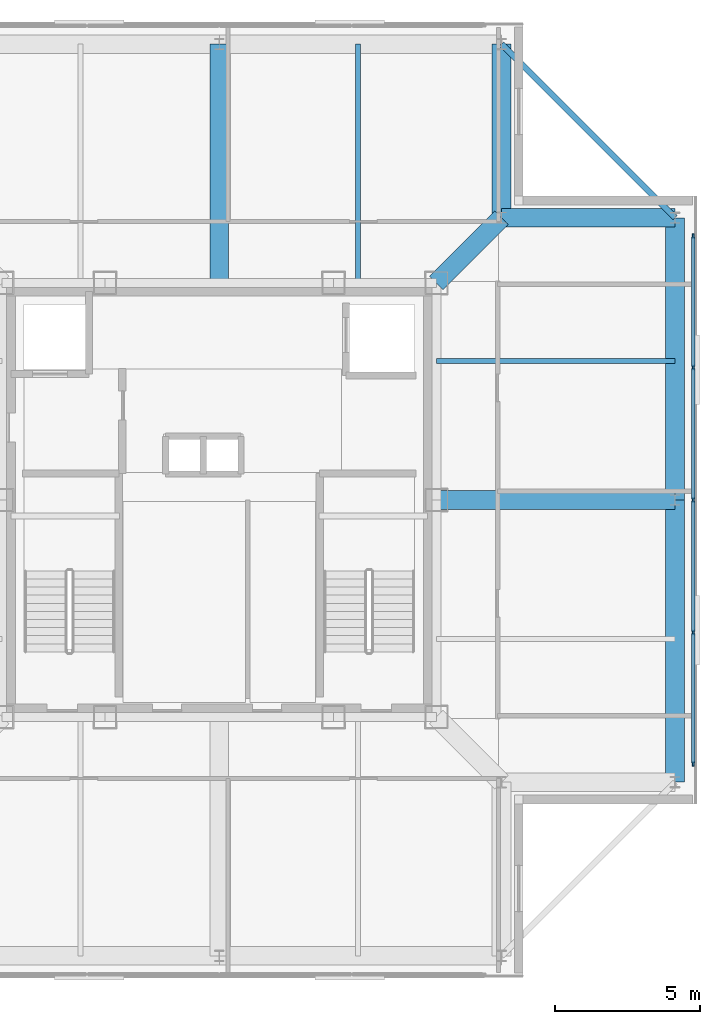
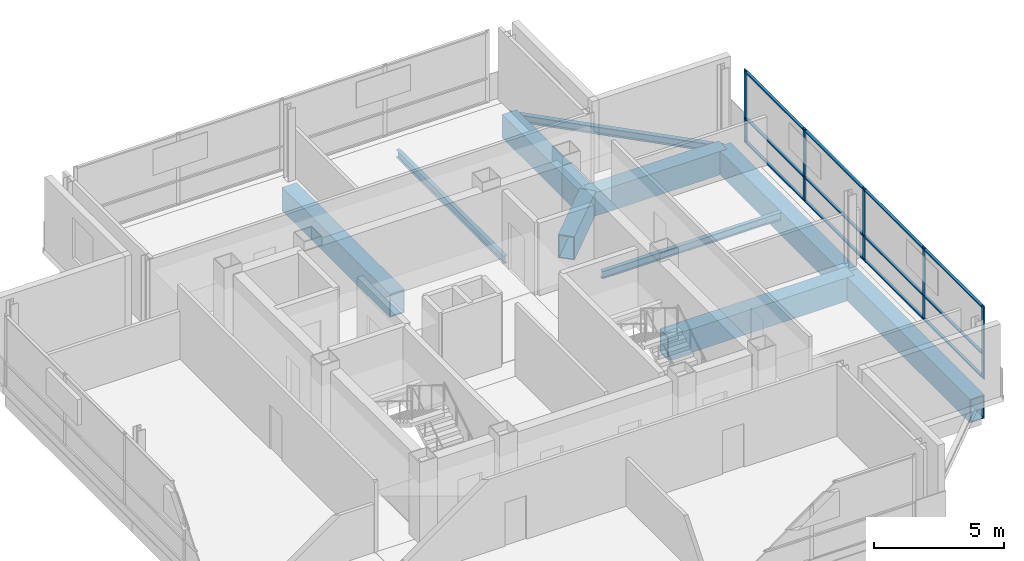
# One storey, part 5 of 11: 17 members, 10 beams, 1 element without a shape of its own.
"""IFC4 building model written with IfcOpenShell, lengths in metres."""

from ifc_helpers import new_model, si_unit, direction, frame, origin, origin_2d, place, context, subcontext, project, spatial, rectangle, hollow_rectangle, i_section, extrude, material, layer, layer_set, material_profile, profile_set, type_object, element, aggregate, save


model = new_model("IFC4")

# Units and contexts
model_context = context("Model", 3, precision=1e-05, world=origin(), true_north=direction((0.0, 1.0)))
body_context = subcontext(model_context, "Body", "Model", "MODEL_VIEW")
ifc_project = project(units=[si_unit("LENGTHUNIT", "METRE"), si_unit("AREAUNIT", "SQUARE_METRE"), si_unit("VOLUMEUNIT", "CUBIC_METRE"), si_unit("PLANEANGLEUNIT", "RADIAN"), si_unit("MASSUNIT", "GRAM", prefix="KILO")], contexts=[model_context])

# Site, building, storey
site_placement = place(None, origin())
site = spatial("IfcSite", under=ifc_project, at=site_placement, CompositionType="ELEMENT")
building_placement = place(site_placement, origin())
building = spatial("IfcBuilding", under=site, at=building_placement, Name="Trevonay Congress Spire", CompositionType="ELEMENT")
storey_placement = place(building_placement, frame((0.0, 0.0, 312.199951171875)))
storey = spatial("IfcBuildingStorey", under=building, at=storey_placement, Name="L82", CompositionType="ELEMENT", Elevation=312.199951171875)

# Beams
ifc_material_1 = material(Name="Steel ASTM A572 Grade 50", Category="steel")
ifc_material_profile_1 = material_profile(ifc_material_1, hollow_rectangle(XDim=0.64990234375, YDim=1.10009765625, WallThickness=0.044921875, at=origin_2d()), Name="BOX 1100x650x45")
ifc_profile_set_1 = profile_set([ifc_material_profile_1], Name="Steel ASTM A572 Grade 50")
beam_type_1 = type_object("IfcBeamType", Name="BM-RING-BOX1100", PredefinedType="BEAM", material=ifc_profile_set_1)
for number, where, z_axis, x_axis, name in (
    (1, (15.75, -9.75, -0.829833984375), (0.0, 1.0, 0.0), (-1.0, 0.0, 0.0), "L82 structural beam BM-L82-PE1"),
    (2, (15.75, 0.0, -0.829833984375), (0.0, 1.0, 0.0), (-1.0, 0.0, 0.0), "L82 structural beam BM-L82-PE2"),
):
    element("IfcBeam", number, at=place(storey_placement, frame(where, z_axis=z_axis, x_axis=x_axis)), inside=storey, type_object=beam_type_1, Name=name, PredefinedType="BEAM", context=body_context, shape_type="SweptSolid", body=[
        extrude(hollow_rectangle(XDim=0.64990234375, YDim=1.10009765625, WallThickness=0.044921875, at=origin_2d()), origin(), (0.0, 0.0, 1.0), 9.75),
    ])
for number, where, z_axis, x_axis, name in (
    (3, (9.75, 15.75, -0.829833984375), (0.0, -1.0, 0.0), (1.0, 0.0, 0.0), "L82 structural beam BM-L82-N1NE"),
    (4, (15.75, 9.75, -0.829833984375), (-1.0, 0.0, 0.0), (0.0, -1.0, 0.0), "L82 structural beam BM-L82-N2NE"),
):
    element("IfcBeam", number, at=place(storey_placement, frame(where, z_axis=z_axis, x_axis=x_axis)), inside=storey, type_object=beam_type_1, Name=name, PredefinedType="BEAM", context=body_context, shape_type="SweptSolid", body=[
        extrude(hollow_rectangle(XDim=0.64990234375, YDim=1.10009765625, WallThickness=0.044921875, at=origin_2d()), origin(), (0.0, 0.0, 1.0), 6.0),
    ])
ifc_material_profile_2 = material_profile(ifc_material_1, hollow_rectangle(XDim=0.64990234375, YDim=1.10009765625, WallThickness=0.044921875, at=origin_2d()), Name="BOX 1100x650x45")
ifc_profile_set_2 = profile_set([ifc_material_profile_2], Name="Steel ASTM A572 Grade 50")
beam_type_2 = type_object("IfcBeamType", Name="BM-XFER-BOX1100", PredefinedType="BEAM", material=ifc_profile_set_2)
beam_1_placement = place(storey_placement, frame((7.5, 7.5, -0.829833984375), z_axis=(0.707106781187, 0.707106781187, 0.0), x_axis=(-0.707106781187, 0.707106781187, 0.0)))
element("IfcBeam", 5, at=beam_1_placement, inside=storey, type_object=beam_type_2, Name="L82 structural beam BM-L82-CDNE", PredefinedType="BEAM", context=body_context, shape_type="SweptSolid", body=[
    extrude(hollow_rectangle(XDim=0.64990234375, YDim=1.10009765625, WallThickness=0.044921875, at=origin_2d()), origin(), (0.0, 0.0, 1.0), 3.181884765625),
])
for number, where, z_axis, x_axis, name in (
    (6, (0.0, 7.5, -0.829833984375), (0.0, 1.0, 0.0), (-1.0, 0.0, 0.0), "L82 structural beam BM-L82-GC-N"),
    (7, (7.5, 0.0, -0.829833984375), (1.0, 0.0, 0.0), (0.0, 1.0, 0.0), "L82 structural beam BM-L82-GC-E"),
):
    element("IfcBeam", number, at=place(storey_placement, frame(where, z_axis=z_axis, x_axis=x_axis)), inside=storey, type_object=beam_type_2, Name=name, PredefinedType="BEAM", context=body_context, shape_type="SweptSolid", body=[
        extrude(hollow_rectangle(XDim=0.64990234375, YDim=1.10009765625, WallThickness=0.044921875, at=origin_2d()), origin(), (0.0, 0.0, 1.0), 8.25),
    ])

# Curtain wall, members
ifc_material_2 = material(Name="Pale Anodised Aluminium EN AW-6063-T6", Category="aluminium")
ifc_layer = layer(ifc_material_2, 0.159912109375, Name="Pale Anodised Aluminium EN AW-6063-T6")
ifc_layer_set = layer_set([ifc_layer], Name="Pale Anodised Aluminium EN AW-6063-T6")
curtain_wall_type = type_object("IfcCurtainWallType", Name="CW-SYS06-CROWN-PALE-METAL", PredefinedType="NOTDEFINED", material=ifc_layer_set)
curtain_wall_placement = place(storey_placement, origin())
curtain_wall = element("IfcCurtainWall", 8, at=curtain_wall_placement, inside=storey, type_object=curtain_wall_type, Name="L82 E unitised curtain wall", PredefinedType="NOTDEFINED")
ifc_material_profile_3 = material_profile(ifc_material_2, rectangle(XDim=0.06005859375, YDim=0.159912109375, at=origin_2d()), Name="CW-MULLION-160-ALUMINIUM")
ifc_profile_set_3 = profile_set([ifc_material_profile_3], Name="Pale Anodised Aluminium EN AW-6063-T6")
member_type_1 = type_object("IfcMemberType", Name="CW-MULLION-160-ALUMINIUM", PredefinedType="MULLION", material=ifc_profile_set_3)
member_1_placement = place(storey_placement, frame((16.3798828125, -9.1201171875, 0.0), z_axis=(0.0, 0.0, 1.0), x_axis=(-1.0, 0.0, 0.0)))
member_1 = element("IfcMember", 9, at=member_1_placement, type_object=member_type_1, Name="CW06 mullion 1", PredefinedType="MULLION", context=body_context, shape_type="SweptSolid", body=[
    extrude(rectangle(XDim=0.06005859375, YDim=0.159912109375, at=origin_2d()), origin(), (0.0, 0.0, 1.0), 3.400146484375),
])
member_2_placement = place(storey_placement, frame((16.3798828125, -4.574951171875, 0.0), z_axis=(0.0, 0.0, 1.0), x_axis=(-1.0, 0.0, 0.0)))
member_2 = element("IfcMember", 10, at=member_2_placement, type_object=member_type_1, Name="CW06 mullion 2", PredefinedType="MULLION", context=body_context, shape_type="SweptSolid", body=[
    extrude(rectangle(XDim=0.06005859375, YDim=0.159912109375, at=origin_2d()), origin(), (0.0, 0.0, 1.0), 3.400146484375),
])
member_3_placement = place(storey_placement, frame((16.3798828125, 0.0, 0.0), z_axis=(0.0, 0.0, 1.0), x_axis=(-1.0, 0.0, 0.0)))
member_3 = element("IfcMember", 11, at=member_3_placement, type_object=member_type_1, Name="CW06 mullion 3", PredefinedType="MULLION", context=body_context, shape_type="SweptSolid", body=[
    extrude(rectangle(XDim=0.06005859375, YDim=0.159912109375, at=origin_2d()), origin(), (0.0, 0.0, 1.0), 3.400146484375),
])
member_4_placement = place(storey_placement, frame((16.3798828125, 4.574951171875, 0.0), z_axis=(0.0, 0.0, 1.0), x_axis=(-1.0, 0.0, 0.0)))
member_4 = element("IfcMember", 12, at=member_4_placement, type_object=member_type_1, Name="CW06 mullion 4", PredefinedType="MULLION", context=body_context, shape_type="SweptSolid", body=[
    extrude(rectangle(XDim=0.06005859375, YDim=0.159912109375, at=origin_2d()), origin(), (0.0, 0.0, 1.0), 3.400146484375),
])
member_5_placement = place(storey_placement, frame((16.3798828125, 9.1201171875, 0.0), z_axis=(0.0, 0.0, 1.0), x_axis=(-1.0, 0.0, 0.0)))
member_5 = element("IfcMember", 13, at=member_5_placement, type_object=member_type_1, Name="CW06 mullion 5", PredefinedType="MULLION", context=body_context, shape_type="SweptSolid", body=[
    extrude(rectangle(XDim=0.06005859375, YDim=0.159912109375, at=origin_2d()), origin(), (0.0, 0.0, 1.0), 3.400146484375),
])
ifc_material_profile_4 = material_profile(ifc_material_2, rectangle(XDim=0.1201171875, YDim=0.06005859375, at=origin_2d()), Name="CW-TRANSOM-120-ALUMINIUM")
ifc_profile_set_4 = profile_set([ifc_material_profile_4], Name="Pale Anodised Aluminium EN AW-6063-T6")
member_type_2 = type_object("IfcMemberType", Name="CW-TRANSOM-120-ALUMINIUM", PredefinedType="USERDEFINED", material=ifc_profile_set_4)
member_6_placement = place(storey_placement, frame((16.3798828125, -9.090087890625, 0.06005859375), z_axis=(0.0, 1.0, 0.0), x_axis=(-1.0, 0.0, 0.0)))
member_6 = element("IfcMember", 14, at=member_6_placement, type_object=member_type_2, Name="CW06 transom 1.1", ObjectType="TRANSOM", PredefinedType="USERDEFINED", context=body_context, shape_type="SweptSolid", body=[
    extrude(rectangle(XDim=0.1201171875, YDim=0.06005859375, at=origin_2d()), origin(), (0.0, 0.0, 1.0), 4.485107421875),
])
member_7_placement = place(storey_placement, frame((16.3798828125, -9.090087890625, 1.156005859375), z_axis=(0.0, 1.0, 0.0), x_axis=(-1.0, 0.0, 0.0)))
member_7 = element("IfcMember", 15, at=member_7_placement, type_object=member_type_2, Name="CW06 transom 1.2", ObjectType="TRANSOM", PredefinedType="USERDEFINED", context=body_context, shape_type="SweptSolid", body=[
    extrude(rectangle(XDim=0.1201171875, YDim=0.06005859375, at=origin_2d()), origin(), (0.0, 0.0, 1.0), 4.485107421875),
])
member_8_placement = place(storey_placement, frame((16.3798828125, -9.090087890625, 3.340087890625), z_axis=(0.0, 1.0, 0.0), x_axis=(-1.0, 0.0, 0.0)))
member_8 = element("IfcMember", 16, at=member_8_placement, type_object=member_type_2, Name="CW06 transom 1.3", ObjectType="TRANSOM", PredefinedType="USERDEFINED", context=body_context, shape_type="SweptSolid", body=[
    extrude(rectangle(XDim=0.1201171875, YDim=0.06005859375, at=origin_2d()), origin(), (0.0, 0.0, 1.0), 4.485107421875),
])
member_9_placement = place(storey_placement, frame((16.3798828125, -4.544921875, 0.06005859375), z_axis=(0.0, 1.0, 0.0), x_axis=(-1.0, 0.0, 0.0)))
member_9 = element("IfcMember", 17, at=member_9_placement, type_object=member_type_2, Name="CW06 transom 2.1", ObjectType="TRANSOM", PredefinedType="USERDEFINED", context=body_context, shape_type="SweptSolid", body=[
    extrude(rectangle(XDim=0.1201171875, YDim=0.06005859375, at=origin_2d()), origin(), (0.0, 0.0, 1.0), 4.514892578125),
])
member_10_placement = place(storey_placement, frame((16.3798828125, -4.544921875, 1.156005859375), z_axis=(0.0, 1.0, 0.0), x_axis=(-1.0, 0.0, 0.0)))
member_10 = element("IfcMember", 18, at=member_10_placement, type_object=member_type_2, Name="CW06 transom 2.2", ObjectType="TRANSOM", PredefinedType="USERDEFINED", context=body_context, shape_type="SweptSolid", body=[
    extrude(rectangle(XDim=0.1201171875, YDim=0.06005859375, at=origin_2d()), origin(), (0.0, 0.0, 1.0), 4.514892578125),
])
member_11_placement = place(storey_placement, frame((16.3798828125, -4.544921875, 3.340087890625), z_axis=(0.0, 1.0, 0.0), x_axis=(-1.0, 0.0, 0.0)))
member_11 = element("IfcMember", 19, at=member_11_placement, type_object=member_type_2, Name="CW06 transom 2.3", ObjectType="TRANSOM", PredefinedType="USERDEFINED", context=body_context, shape_type="SweptSolid", body=[
    extrude(rectangle(XDim=0.1201171875, YDim=0.06005859375, at=origin_2d()), origin(), (0.0, 0.0, 1.0), 4.514892578125),
])
member_12_placement = place(storey_placement, frame((16.3798828125, 0.030029296875, 0.06005859375), z_axis=(0.0, 1.0, 0.0), x_axis=(-1.0, 0.0, 0.0)))
member_12 = element("IfcMember", 20, at=member_12_placement, type_object=member_type_2, Name="CW06 transom 3.1", ObjectType="TRANSOM", PredefinedType="USERDEFINED", context=body_context, shape_type="SweptSolid", body=[
    extrude(rectangle(XDim=0.1201171875, YDim=0.06005859375, at=origin_2d()), origin(), (0.0, 0.0, 1.0), 4.514892578125),
])
member_13_placement = place(storey_placement, frame((16.3798828125, 0.030029296875, 1.156005859375), z_axis=(0.0, 1.0, 0.0), x_axis=(-1.0, 0.0, 0.0)))
member_13 = element("IfcMember", 21, at=member_13_placement, type_object=member_type_2, Name="CW06 transom 3.2", ObjectType="TRANSOM", PredefinedType="USERDEFINED", context=body_context, shape_type="SweptSolid", body=[
    extrude(rectangle(XDim=0.1201171875, YDim=0.06005859375, at=origin_2d()), origin(), (0.0, 0.0, 1.0), 4.514892578125),
])
member_14_placement = place(storey_placement, frame((16.3798828125, 0.030029296875, 3.340087890625), z_axis=(0.0, 1.0, 0.0), x_axis=(-1.0, 0.0, 0.0)))
member_14 = element("IfcMember", 22, at=member_14_placement, type_object=member_type_2, Name="CW06 transom 3.3", ObjectType="TRANSOM", PredefinedType="USERDEFINED", context=body_context, shape_type="SweptSolid", body=[
    extrude(rectangle(XDim=0.1201171875, YDim=0.06005859375, at=origin_2d()), origin(), (0.0, 0.0, 1.0), 4.514892578125),
])
member_15_placement = place(storey_placement, frame((16.3798828125, 4.60498046875, 0.06005859375), z_axis=(0.0, 1.0, 0.0), x_axis=(-1.0, 0.0, 0.0)))
member_15 = element("IfcMember", 23, at=member_15_placement, type_object=member_type_2, Name="CW06 transom 4.1", ObjectType="TRANSOM", PredefinedType="USERDEFINED", context=body_context, shape_type="SweptSolid", body=[
    extrude(rectangle(XDim=0.1201171875, YDim=0.06005859375, at=origin_2d()), origin(), (0.0, 0.0, 1.0), 4.485107421875),
])
member_16_placement = place(storey_placement, frame((16.3798828125, 4.60498046875, 1.156005859375), z_axis=(0.0, 1.0, 0.0), x_axis=(-1.0, 0.0, 0.0)))
member_16 = element("IfcMember", 24, at=member_16_placement, type_object=member_type_2, Name="CW06 transom 4.2", ObjectType="TRANSOM", PredefinedType="USERDEFINED", context=body_context, shape_type="SweptSolid", body=[
    extrude(rectangle(XDim=0.1201171875, YDim=0.06005859375, at=origin_2d()), origin(), (0.0, 0.0, 1.0), 4.485107421875),
])
member_17_placement = place(storey_placement, frame((16.3798828125, 4.60498046875, 3.340087890625), z_axis=(0.0, 1.0, 0.0), x_axis=(-1.0, 0.0, 0.0)))
member_17 = element("IfcMember", 25, at=member_17_placement, type_object=member_type_2, Name="CW06 transom 4.3", ObjectType="TRANSOM", PredefinedType="USERDEFINED", context=body_context, shape_type="SweptSolid", body=[
    extrude(rectangle(XDim=0.1201171875, YDim=0.06005859375, at=origin_2d()), origin(), (0.0, 0.0, 1.0), 4.485107421875),
])
aggregate(curtain_wall, [member_1, member_2, member_3, member_4, member_5, member_6, member_7, member_8, member_9, member_10, member_11, member_12, member_13, member_14, member_15, member_16, member_17])

# Beams
ifc_material_profile_5 = material_profile(ifc_material_1, i_section(OverallWidth=0.172119140625, OverallDepth=0.35791015625, WebThickness=0.0078125, FlangeThickness=0.01318359375, FilletRadius=0.011962890625, at=origin_2d()), Name="W360x57.8")
ifc_profile_set_5 = profile_set([ifc_material_profile_5], Name="Steel ASTM A572 Grade 50")
beam_type_3 = type_object("IfcBeamType", Name="JS-COMP-W360X57", PredefinedType="JOIST", material=ifc_profile_set_5)
for number, where, z_axis, x_axis, name in (
    (26, (4.800048828125, 7.5, -0.458984375), (0.0, 1.0, 0.0), (-1.0, 0.0, 0.0), "L82 structural beam JS-L82-NS-N3"),
    (27, (7.5, 4.800048828125, -0.458984375), (1.0, 0.0, 0.0), (0.0, 1.0, 0.0), "L82 structural beam JS-L82-EW-E3"),
):
    element("IfcBeam", number, at=place(storey_placement, frame(where, z_axis=z_axis, x_axis=x_axis)), inside=storey, type_object=beam_type_3, Name=name, PredefinedType="JOIST", context=body_context, shape_type="SweptSolid", body=[
        extrude(i_section(OverallWidth=0.172119140625, OverallDepth=0.35791015625, WebThickness=0.0078125, FlangeThickness=0.01318359375, FilletRadius=0.011962890625, at=origin_2d()), origin(), (0.0, 0.0, 1.0), 8.25),
    ])
ifc_material_profile_6 = material_profile(ifc_material_1, i_section(OverallWidth=0.205078125, OverallDepth=0.35400390625, WebThickness=0.009521484375, FlangeThickness=0.016845703125, FilletRadius=0.011962890625, at=origin_2d()), Name="W360x79")
ifc_profile_set_6 = profile_set([ifc_material_profile_6], Name="Steel ASTM A572 Grade 50")
beam_type_4 = type_object("IfcBeamType", Name="SPB-HSS350", PredefinedType="SPANDREL", material=ifc_profile_set_6)
beam_2_placement = place(storey_placement, frame((9.75, 15.75, -0.45703125), z_axis=(0.707106781187, -0.707106781187, 0.0), x_axis=(0.707106781187, 0.707106781187, 0.0)))
element("IfcBeam", 28, at=beam_2_placement, inside=storey, type_object=beam_type_4, Name="L82 structural beam SPB-L82-NE", PredefinedType="SPANDREL", context=body_context, shape_type="SweptSolid", body=[
    extrude(i_section(OverallWidth=0.205078125, OverallDepth=0.35400390625, WebThickness=0.009521484375, FlangeThickness=0.016845703125, FilletRadius=0.011962890625, at=origin_2d()), origin(), (0.0, 0.0, 1.0), 8.4853515625),
])

save(model, "model.ifc")
